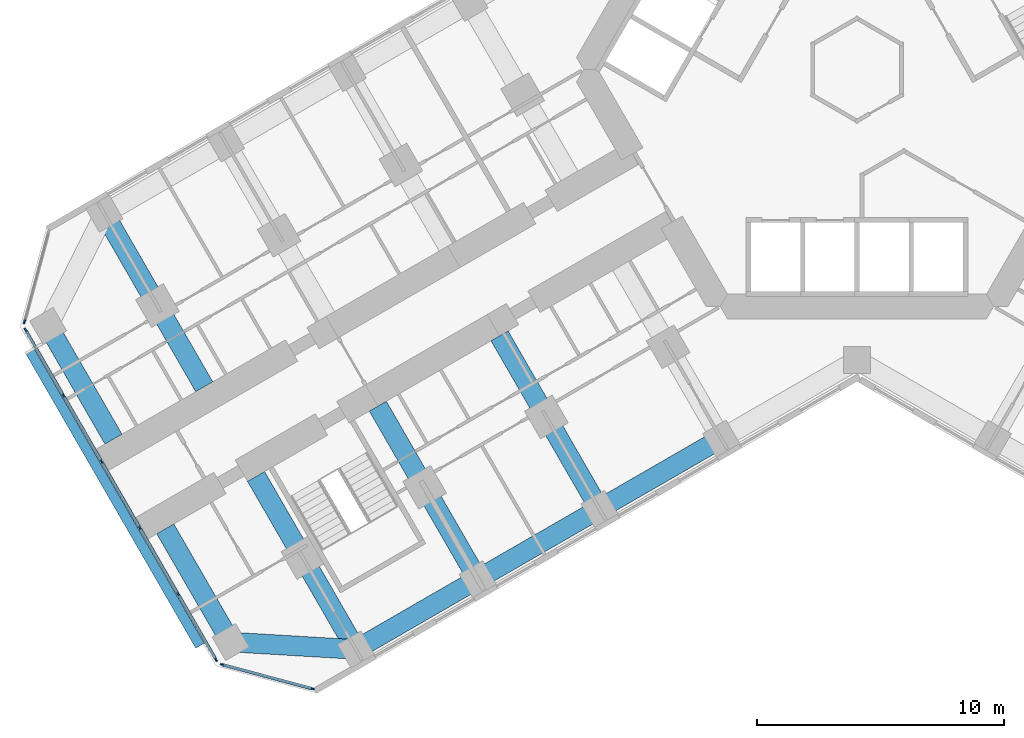
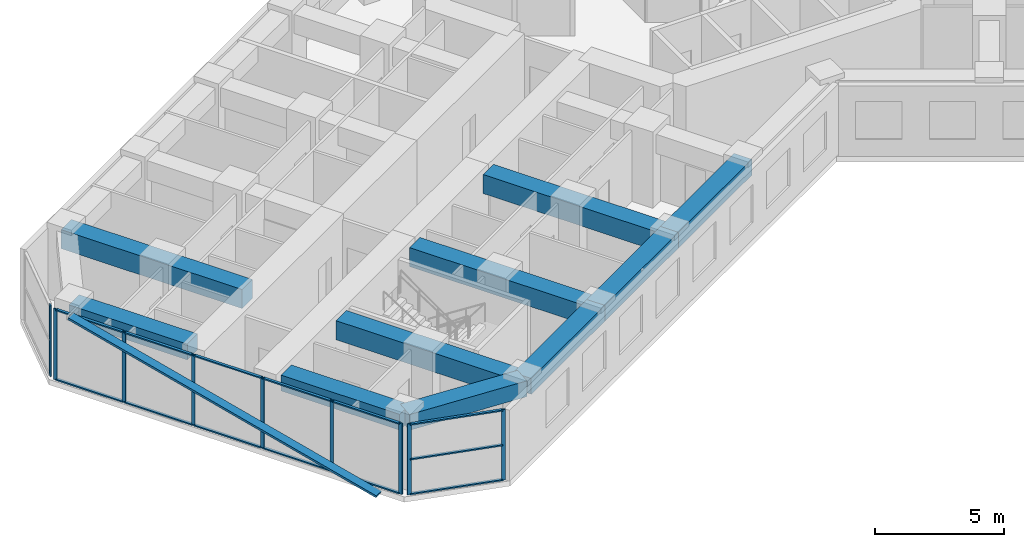
# One storey, part 2 of 21: 23 members, 10 beams, 3 elements without a shape of their own.
"""IFC4 building model written with IfcOpenShell, lengths in metres."""

import ifcopenshell
import ifcopenshell.guid

model = None  # the IFC model being written
_history = None  # IfcOwnerHistory: only IFC2X3 demands one
_inside = {}  # id of a spatial element -> (the spatial element, [elements in it])
_under = {}  # id of a project, library or spatial element -> (it, [spatial elements below it])
_declared = {}  # id of a project -> (the project, [libraries it declares])
_typed = {}  # id of a type object -> (the type object, [elements of that type])
_made_of = {}  # id of a material, layer set ... -> (it, [elements and type objects made of it])


def new_model(schema):
    """Start an empty IFC model of exactly this schema.

    Asked for "IFC4X3", IfcOpenShell would pick the latest addendum, in which some entities
    have other attributes; the version numbers below select the first issue.
    IFC2X3 requires an IfcOwnerHistory on every rooted entity: one is made here for all.
    """
    global model, _history
    if schema == "IFC4X3":
        model = ifcopenshell.file(schema_version=(4, 3, 0, 0))
    else:
        model = ifcopenshell.file(schema=schema)
    _inside.clear()
    _under.clear()
    _declared.clear()
    _typed.clear()
    _made_of.clear()
    _history = None
    if model.schema == "IFC2X3":
        org = make("IfcOrganization", Name="unknown")
        user = make(
            "IfcPersonAndOrganization",
            ThePerson=make("IfcPerson", FamilyName="unknown"),
            TheOrganization=org,
        )
        app = make(
            "IfcApplication",
            ApplicationDeveloper=org,
            Version="unknown",
            ApplicationFullName="unknown",
            ApplicationIdentifier="unknown",
        )
        _history = make(
            "IfcOwnerHistory",
            OwningUser=user,
            OwningApplication=app,
            ChangeAction="ADDED",
            CreationDate=0,
        )
    return model


def make(cls, **values):
    """One entity of the class cls with the attributes given. An attribute that is None is left unset."""
    return model.create_entity(
        cls, **{name: value for name, value in values.items() if value is not None}
    )


def rooted(cls, **values):
    """An entity with a GlobalId (a new one), such as an element, a storey or a relation."""
    return make(cls, GlobalId=ifcopenshell.guid.new(), OwnerHistory=_history, **values)


def si_unit(unit_type, name, prefix=None):
    """IfcSIUnit, for example si_unit("LENGTHUNIT", "METRE", prefix="MILLI")."""
    return make("IfcSIUnit", UnitType=unit_type, Prefix=prefix, Name=name)


def assignment(units):
    """IfcUnitAssignment: the units of a project."""
    return None if units is None else make("IfcUnitAssignment", Units=units)


def point(xyz):
    """IfcCartesianPoint."""
    return None if xyz is None else make("IfcCartesianPoint", Coordinates=xyz)


def direction(xyz):
    """IfcDirection."""
    return None if xyz is None else make("IfcDirection", DirectionRatios=xyz)


def frame(location, z_axis=None, x_axis=None):
    """IfcAxis2Placement3D, a coordinate frame: its origin and axes. An axis left out is left unset."""
    return make(
        "IfcAxis2Placement3D",
        Location=point(location),
        Axis=direction(z_axis),
        RefDirection=direction(x_axis),
    )


def frame_2d(location, x_axis=None):
    """IfcAxis2Placement2D, a coordinate frame in the plane: its origin and x axis."""
    return make(
        "IfcAxis2Placement2D", Location=point(location), RefDirection=direction(x_axis)
    )


def origin():
    """The frame at (0, 0, 0) with its axes left unset."""
    return frame((0.0, 0.0, 0.0))


def origin_2d():
    """The frame at (0, 0) in the plane with its x axis left unset."""
    return frame_2d((0.0, 0.0))


def place(relative_to, where):
    """IfcLocalPlacement: puts the frame where relative to a parent placement (None: the world)."""
    return make(
        "IfcLocalPlacement", PlacementRelTo=relative_to, RelativePlacement=where
    )


def context(
    kind, dimensions, precision=None, world=None, true_north=None, identifier=None
):
    """IfcGeometricRepresentationContext, for example the 3D "Model" context."""
    return make(
        "IfcGeometricRepresentationContext",
        ContextIdentifier=identifier,
        ContextType=kind,
        CoordinateSpaceDimension=dimensions,
        Precision=precision,
        WorldCoordinateSystem=world,
        TrueNorth=true_north,
    )


def subcontext(parent, identifier, kind, view, scale=None):
    """IfcGeometricRepresentationSubContext, for example "Body" below "Model"."""
    return make(
        "IfcGeometricRepresentationSubContext",
        ContextIdentifier=identifier,
        ContextType=kind,
        ParentContext=parent,
        TargetScale=scale,
        TargetView=view,
    )


def project(units=None, contexts=None):
    """IfcProject with its units and contexts."""
    return rooted(
        "IfcProject",
        Name="project",
        RepresentationContexts=contexts,
        UnitsInContext=assignment(units),
    )


def spatial(cls, under=None, at=None, **own):
    """A site, building, storey or space (cls), placed at a placement, below another one or the project."""
    s = rooted(cls, ObjectPlacement=at, **own)
    if under is not None:
        _under.setdefault(under.id(), (under, []))[1].append(s)
    return s


def profile(cls, at=None, kind="AREA", **sizes):
    """A parametric profile (cls). Its sizes go by their IFC names, for example OverallWidth=200.0."""
    return make(cls, ProfileType=kind, Position=at, **sizes)


def rectangle(**sizes):
    """IfcRectangleProfileDef."""
    return profile("IfcRectangleProfileDef", **sizes)


def extrude(swept, where, along, depth):
    """IfcExtrudedAreaSolid: the profile swept, set in the frame where, extruded along a direction by depth."""
    return make(
        "IfcExtrudedAreaSolid",
        SweptArea=swept,
        Position=where,
        ExtrudedDirection=direction(along),
        Depth=depth,
    )


def shape(context_of_items, identifier, shape_type, items):
    """IfcShapeRepresentation: the items that make up one representation, for example the "Body"."""
    return make(
        "IfcShapeRepresentation",
        ContextOfItems=context_of_items,
        RepresentationIdentifier=identifier,
        RepresentationType=shape_type,
        Items=items,
    )


def material(Name=None, Category=None):
    """IfcMaterial."""
    return make("IfcMaterial", Name=Name, Category=Category)


def material_profile(
    of_material, cross_section, Name=None, Category=None, Priority=None
):
    """IfcMaterialProfile: a cross section and its material."""
    return make(
        "IfcMaterialProfile",
        Name=Name,
        Material=of_material,
        Profile=cross_section,
        Priority=Priority,
        Category=Category,
    )


def profile_set(profiles, Name=None, composite=None):
    """IfcMaterialProfileSet."""
    return make(
        "IfcMaterialProfileSet",
        Name=Name,
        MaterialProfiles=profiles,
        CompositeProfile=composite,
    )


def made_of(thing, what):
    """Note that an element or type object is made of a material, layer set ...; save() writes the relation."""
    if what is not None:
        _made_of.setdefault(what.id(), (what, []))[1].append(thing)
    return thing


def type_object(cls, material=None, **own):
    """A type object (cls), such as IfcWallType, which elements share."""
    return made_of(rooted(cls, **own), material)


def element(
    cls,
    number,
    at=None,
    inside=None,
    cuts=None,
    type_object=None,
    material=None,
    context=None,
    identifier="Body",
    shape_type=None,
    held_by="IfcProductDefinitionShape",
    body=None,
    shapes=None,
    **own,
):
    """One element of the class cls, such as IfcWall. Its Tag is "e" and its number.

    at: its placement. inside: the storey or other place that contains it. cuts: it is an
    opening in that element (IfcRelVoidsElement). A single representation is given by context,
    identifier, shape_type and body (its items); several are given by shapes. held_by: the class
    of the entity that holds the representations. save() writes the other relations.
    """
    e = rooted(cls, Tag="e%d" % number, ObjectPlacement=at, **own)
    if body is not None:
        shapes = [shape(context, identifier, shape_type, body)]
    if shapes is not None:
        e.Representation = make(held_by, Representations=shapes)
    if inside is not None:
        _inside.setdefault(inside.id(), (inside, []))[1].append(e)
    if cuts is not None:
        rooted(
            "IfcRelVoidsElement", RelatingBuildingElement=cuts, RelatedOpeningElement=e
        )
    if type_object is not None:
        _typed.setdefault(type_object.id(), (type_object, []))[1].append(e)
    return made_of(e, material)


def aggregate(whole, parts):
    """IfcRelAggregates: a whole, such as a stair, and the parts it consists of."""
    return rooted("IfcRelAggregates", RelatingObject=whole, RelatedObjects=parts)


def save(model, path):
    """Write the relations noted so far, then the file.

    IfcRelAggregates (storeys below a building ...), IfcRelContainedInSpatialStructure (elements
    in a storey), IfcRelDefinesByType, IfcRelAssociatesMaterial and IfcRelDeclares: one each for
    every whole, place, type object, material and project.
    """
    for whole, parts in _under.values():
        aggregate(whole, parts)
    for where, things in _inside.values():
        rooted(
            "IfcRelContainedInSpatialStructure",
            RelatedElements=things,
            RelatingStructure=where,
        )
    for kind, things in _typed.values():
        rooted("IfcRelDefinesByType", RelatedObjects=things, RelatingType=kind)
    for what, things in _made_of.values():
        rooted("IfcRelAssociatesMaterial", RelatedObjects=things, RelatingMaterial=what)
    for by, libraries in _declared.values():
        rooted("IfcRelDeclares", RelatingContext=by, RelatedDefinitions=libraries)
    model.write(path)


model = new_model("IFC4")

# Units and contexts
model_context = context("Model", 3, precision=1e-05, world=origin(), true_north=direction((0.0, 1.0)))
body_context = subcontext(model_context, "Body", "Model", "MODEL_VIEW")
ifc_project = project(units=[si_unit("LENGTHUNIT", "METRE"), si_unit("AREAUNIT", "SQUARE_METRE"), si_unit("VOLUMEUNIT", "CUBIC_METRE"), si_unit("PLANEANGLEUNIT", "RADIAN"), si_unit("MASSUNIT", "GRAM", prefix="KILO")], contexts=[model_context])

# Site, building, storey
site_placement = place(None, origin())
site = spatial("IfcSite", under=ifc_project, at=site_placement, CompositionType="ELEMENT")
building_placement = place(site_placement, origin())
building = spatial("IfcBuilding", under=site, at=building_placement, Name="Kosmar Iwan School Tower", CompositionType="ELEMENT")
storey_placement = place(building_placement, frame((0.0, 0.0, 43.0)))
storey = spatial("IfcBuildingStorey", under=building, at=storey_placement, Name="L09", CompositionType="ELEMENT", Elevation=43.0)

# Member
ifc_material_1 = material(Name="Black anodised aluminium", Category="aluminium")
ifc_material_profile_1 = material_profile(ifc_material_1, rectangle(XDim=0.10009765625, YDim=0.39990234375, at=origin_2d()), Name="FIN 100x400")
ifc_profile_set_1 = profile_set([ifc_material_profile_1], Name="Black anodised aluminium")
member_type_1 = type_object("IfcMemberType", Name="Diagonal fin 100x400", PredefinedType="USERDEFINED", material=ifc_profile_set_1)
member_1_placement = place(storey_placement, frame((-26.645263671875, -23.34912109375, -0.14990234375), z_axis=(-0.483795538458, 0.837973939202, 0.252470897702), x_axis=(0.126233699175, -0.218647221293, 0.967604488318)))
element("IfcMember", 1, at=member_1_placement, inside=storey, type_object=member_type_1, Name="Diagonal fin L09-F13", ObjectType="FIN", PredefinedType="USERDEFINED", context=body_context, shape_type="SweptSolid", body=[
    extrude(rectangle(XDim=0.10009765625, YDim=0.39990234375, at=origin_2d()), origin(), (0.0, 0.0, 1.0), 14.258544921875),
])

# Curtain wall, member
ifc_material_2 = material(Name="Dark glass in black aluminium frame", Category="aluminium")
curtain_wall_type_1 = type_object("IfcCurtainWallType", Name="Chamfer curtain wall dark glass", PredefinedType="USERDEFINED", material=ifc_material_2)
curtain_wall_1_placement = place(storey_placement, origin())
curtain_wall_1 = element("IfcCurtainWall", 2, at=curtain_wall_1_placement, inside=storey, type_object=curtain_wall_type_1, Name="Curtain wall L09-F12", ObjectType="FACETED CURTAIN WALL", PredefinedType="USERDEFINED")
ifc_material_3 = material(Name="Black anodised aluminium", Category="aluminium")
ifc_material_profile_2 = material_profile(ifc_material_3, rectangle(XDim=0.06005859375, YDim=0.159912109375, at=origin_2d()), Name="MULLION 60x160")
ifc_profile_set_2 = profile_set([ifc_material_profile_2], Name="Black anodised aluminium")
member_type_2 = type_object("IfcMemberType", Name="Mullion 60x160", PredefinedType="MULLION", material=ifc_profile_set_2)
member_2_placement = place(storey_placement, frame((-33.7587890625, -10.2236328125, 0.0), z_axis=(0.0, 0.0, 1.0), x_axis=(0.965925875495, -0.258818861462, 0.0)))
member_2 = element("IfcMember", 3, at=member_2_placement, type_object=member_type_2, Name="CW2 mullion 2", PredefinedType="MULLION", context=body_context, shape_type="SweptSolid", body=[
    extrude(rectangle(XDim=0.06005859375, YDim=0.159912109375, at=origin_2d()), origin(), (0.0, 0.0, 1.0), 3.35009765625),
])
aggregate(curtain_wall_1, [member_2])

# Curtain wall, members
ifc_material_4 = material(Name="Dark glass in black aluminium frame", Category="aluminium")
curtain_wall_type_2 = type_object("IfcCurtainWallType", Name="Tower curtain wall dark glass", PredefinedType="USERDEFINED", material=ifc_material_4)
curtain_wall_2_placement = place(storey_placement, origin())
curtain_wall_2 = element("IfcCurtainWall", 4, at=curtain_wall_2_placement, inside=storey, type_object=curtain_wall_type_2, Name="Curtain wall L09-F13", ObjectType="UNITISED CURTAIN WALL", PredefinedType="USERDEFINED")
member_3_placement = place(storey_placement, frame((-33.71533203125, -10.55322265625, 0.0), z_axis=(0.0, 0.0, 1.0), x_axis=(0.866025405329, 0.499999997325, 0.0)))
member_3 = element("IfcMember", 5, at=member_3_placement, type_object=member_type_2, Name="CW1 mullion 1", PredefinedType="MULLION", context=body_context, shape_type="SweptSolid", body=[
    extrude(rectangle(XDim=0.06005859375, YDim=0.159912109375, at=origin_2d()), origin(), (0.0, 0.0, 1.0), 3.35009765625),
])
member_4_placement = place(storey_placement, frame((-32.1806640625, -13.21142578125, 0.0), z_axis=(0.0, 0.0, 1.0), x_axis=(0.866025405329, 0.499999997325, 0.0)))
member_4 = element("IfcMember", 6, at=member_4_placement, type_object=member_type_2, Name="CW1 mullion 2", PredefinedType="MULLION", context=body_context, shape_type="SweptSolid", body=[
    extrude(rectangle(XDim=0.06005859375, YDim=0.159912109375, at=origin_2d()), origin(), (0.0, 0.0, 1.0), 3.35009765625),
])
member_5_placement = place(storey_placement, frame((-30.631103515625, -15.8955078125, 0.0), z_axis=(0.0, 0.0, 1.0), x_axis=(0.866025405329, 0.499999997325, 0.0)))
member_5 = element("IfcMember", 7, at=member_5_placement, type_object=member_type_2, Name="CW1 mullion 3", PredefinedType="MULLION", context=body_context, shape_type="SweptSolid", body=[
    extrude(rectangle(XDim=0.06005859375, YDim=0.159912109375, at=origin_2d()), origin(), (0.0, 0.0, 1.0), 3.35009765625),
])
member_6_placement = place(storey_placement, frame((-29.081298828125, -18.57958984375, 0.0), z_axis=(0.0, 0.0, 1.0), x_axis=(0.866025405329, 0.499999997325, 0.0)))
member_6 = element("IfcMember", 8, at=member_6_placement, type_object=member_type_2, Name="CW1 mullion 4", PredefinedType="MULLION", context=body_context, shape_type="SweptSolid", body=[
    extrude(rectangle(XDim=0.06005859375, YDim=0.159912109375, at=origin_2d()), origin(), (0.0, 0.0, 1.0), 3.35009765625),
])
member_7_placement = place(storey_placement, frame((-27.53173828125, -21.263671875, 0.0), z_axis=(0.0, 0.0, 1.0), x_axis=(0.866025405329, 0.499999997325, 0.0)))
member_7 = element("IfcMember", 9, at=member_7_placement, type_object=member_type_2, Name="CW1 mullion 5", PredefinedType="MULLION", context=body_context, shape_type="SweptSolid", body=[
    extrude(rectangle(XDim=0.06005859375, YDim=0.159912109375, at=origin_2d()), origin(), (0.0, 0.0, 1.0), 3.35009765625),
])
member_8_placement = place(storey_placement, frame((-25.9970703125, -23.921630859375, 0.0), z_axis=(0.0, 0.0, 1.0), x_axis=(0.866025405329, 0.499999997325, 0.0)))
member_8 = element("IfcMember", 10, at=member_8_placement, type_object=member_type_2, Name="CW1 mullion 6", PredefinedType="MULLION", context=body_context, shape_type="SweptSolid", body=[
    extrude(rectangle(XDim=0.06005859375, YDim=0.159912109375, at=origin_2d()), origin(), (0.0, 0.0, 1.0), 3.35009765625),
])

curtain_wall_3_placement = place(storey_placement, origin())
curtain_wall_3 = element("IfcCurtainWall", 11, at=curtain_wall_3_placement, inside=storey, type_object=curtain_wall_type_1, Name="Curtain wall L09-F14", ObjectType="FACETED CURTAIN WALL", PredefinedType="USERDEFINED")
member_9_placement = place(storey_placement, frame((-25.733154296875, -24.124267578125, 0.0), z_axis=(0.0, 0.0, 1.0), x_axis=(0.258818861462, 0.965925875495, 0.0)))
member_9 = element("IfcMember", 12, at=member_9_placement, type_object=member_type_2, Name="CW2 mullion 1", PredefinedType="MULLION", context=body_context, shape_type="SweptSolid", body=[
    extrude(rectangle(XDim=0.06005859375, YDim=0.159912109375, at=origin_2d()), origin(), (0.0, 0.0, 1.0), 3.35009765625),
])
member_10_placement = place(storey_placement, frame((-22.0830078125, -25.102294921875, 0.0), z_axis=(0.0, 0.0, 1.0), x_axis=(0.258818861462, 0.965925875495, 0.0)))
member_10 = element("IfcMember", 13, at=member_10_placement, type_object=member_type_2, Name="CW2 mullion 2", PredefinedType="MULLION", context=body_context, shape_type="SweptSolid", body=[
    extrude(rectangle(XDim=0.06005859375, YDim=0.159912109375, at=origin_2d()), origin(), (0.0, 0.0, 1.0), 3.35009765625),
])

# Beams
ifc_material_5 = material(Name="Concrete C50/60", Category="concrete")
ifc_material_profile_3 = material_profile(ifc_material_5, rectangle(XDim=0.800048828125, YDim=0.75, at=origin_2d()), Name="RC 800x750")
ifc_profile_set_3 = profile_set([ifc_material_profile_3], Name="Concrete C50/60")
beam_type_1 = type_object("IfcBeamType", Name="RC edge beam 800x750", PredefinedType="BEAM", material=ifc_profile_set_3)
beam_1_placement = place(storey_placement, frame((-5.5087890625, -14.95849609375, 2.97509765625), z_axis=(-0.866033658841, -0.49998570155, 0.0), x_axis=(0.49998570155, -0.866033658841, 0.0)))
element("IfcBeam", 14, at=beam_1_placement, inside=storey, type_object=beam_type_1, Name="Edge beam BL2", PredefinedType="BEAM", context=body_context, shape_type="SweptSolid", body=[
    extrude(rectangle(XDim=0.800048828125, YDim=0.75, at=origin_2d()), origin(), (0.0, 0.0, 1.0), 5.699951171875),
])
beam_2_placement = place(storey_placement, frame((-10.445068359375, -17.808349609375, 2.97509765625), z_axis=(-0.866025820012, -0.499999279071, 0.0), x_axis=(0.499999279071, -0.866025820012, 0.0)))
element("IfcBeam", 15, at=beam_2_placement, inside=storey, type_object=beam_type_1, Name="Edge beam BL3", PredefinedType="BEAM", context=body_context, shape_type="SweptSolid", body=[
    extrude(rectangle(XDim=0.800048828125, YDim=0.75, at=origin_2d()), origin(), (0.0, 0.0, 1.0), 5.7001953125),
])
beam_3_placement = place(storey_placement, frame((-15.381591796875, -20.658447265625, 2.97509765625), z_axis=(-0.866015111908, -0.50001782563, 0.0), x_axis=(0.50001782563, -0.866015111908, 0.0)))
element("IfcBeam", 16, at=beam_3_placement, inside=storey, type_object=beam_type_1, Name="Edge beam BL4", PredefinedType="BEAM", context=body_context, shape_type="SweptSolid", body=[
    extrude(rectangle(XDim=0.800048828125, YDim=0.75, at=origin_2d()), origin(), (0.0, 0.0, 1.0), 5.699951171875),
])
ifc_material_6 = material(Name="Concrete C50/60", Category="concrete")
ifc_material_profile_4 = material_profile(ifc_material_6, rectangle(XDim=0.800048828125, YDim=0.75, at=origin_2d()), Name="RC 800x750")
ifc_profile_set_4 = profile_set([ifc_material_profile_4], Name="Concrete C50/60")
beam_type_2 = type_object("IfcBeamType", Name="RC tip beam 800x750", PredefinedType="BEAM", material=ifc_profile_set_4)
beam_4_placement = place(storey_placement, frame((-20.31787109375, -23.508544921875, 2.97509765625), z_axis=(-0.998260616478, 0.058955420358, 0.0), x_axis=(-0.058955420358, -0.998260616478, 0.0)))
element("IfcBeam", 17, at=beam_4_placement, inside=storey, type_object=beam_type_2, Name="Tip beam BL", PredefinedType="BEAM", context=body_context, shape_type="SweptSolid", body=[
    extrude(rectangle(XDim=0.800048828125, YDim=0.75, at=origin_2d()), origin(), (0.0, 0.0, 1.0), 5.08935546875),
])
beam_5_placement = place(storey_placement, frame((-25.3984375, -23.20849609375, 2.97509765625), z_axis=(-0.499993606316, 0.866029095148, 0.0), x_axis=(-0.866029095148, -0.499993606316, 0.0)))
element("IfcBeam", 18, at=beam_5_placement, inside=storey, type_object=beam_type_2, Name="Tip beam BL to corridor wall", PredefinedType="BEAM", context=body_context, shape_type="SweptSolid", body=[
    extrude(rectangle(XDim=0.800048828125, YDim=0.75, at=origin_2d()), origin(), (0.0, 0.0, 1.0), 5.2998046875),
])
beam_6_placement = place(storey_placement, frame((-32.79833984375, -10.391357421875, 2.97509765625), z_axis=(0.499973660256, -0.866040610509, 0.0), x_axis=(0.866040610509, 0.499973660256, 0.0)))
element("IfcBeam", 19, at=beam_6_placement, inside=storey, type_object=beam_type_2, Name="Tip beam BR to corridor wall", PredefinedType="BEAM", context=body_context, shape_type="SweptSolid", body=[
    extrude(rectangle(XDim=0.800048828125, YDim=0.75, at=origin_2d()), origin(), (0.0, 0.0, 1.0), 5.300048828125),
])
ifc_material_7 = material(Name="Concrete C50/60", Category="concrete")
ifc_material_profile_5 = material_profile(ifc_material_7, rectangle(XDim=0.800048828125, YDim=0.89990234375, at=origin_2d()), Name="RC 800x900")
ifc_profile_set_5 = profile_set([ifc_material_profile_5], Name="Concrete C50/60")
beam_type_3 = type_object("IfcBeamType", Name="RC transverse beam 800x900", PredefinedType="BEAM", material=ifc_profile_set_5)
beam_7_placement = place(storey_placement, frame((-10.445068359375, -17.808349609375, 2.89990234375), z_axis=(-0.500012932018, 0.866017937352, 0.0), x_axis=(-0.866017937352, -0.500012932018, 0.0)))
element("IfcBeam", 20, at=beam_7_placement, inside=storey, type_object=beam_type_3, Name="Transverse beam BL2", PredefinedType="BEAM", context=body_context, shape_type="SweptSolid", body=[
    extrude(rectangle(XDim=0.800048828125, YDim=0.89990234375, at=origin_2d()), origin(), (0.0, 0.0, 1.0), 8.099853515625),
])
for number, where, z_axis, x_axis, name in (
    (21, (-15.381591796875, -20.658447265625, 2.89990234375), (-0.499977274689, 0.866038523851, 0.0), (-0.866038523851, -0.499977274689, 0.0), "Transverse beam BL3"),
    (22, (-20.31787109375, -23.508544921875, 2.89990234375), (-0.499999880539, 0.866025472755, 0.0), (-0.866025472755, -0.499999880539, 0.0), "Transverse beam BL4"),
    (23, (-30.517822265625, -5.841552734375, 2.89990234375), (0.499999880539, -0.866025472755, 0.0), (0.866025472755, 0.499999880539, 0.0), "Transverse beam BR4"),
):
    element("IfcBeam", number, at=place(storey_placement, frame(where, z_axis=z_axis, x_axis=x_axis)), inside=storey, type_object=beam_type_3, Name=name, PredefinedType="BEAM", context=body_context, shape_type="SweptSolid", body=[
        extrude(rectangle(XDim=0.800048828125, YDim=0.89990234375, at=origin_2d()), origin(), (0.0, 0.0, 1.0), 8.10009765625),
    ])

# Member
ifc_material_8 = material(Name="Black anodised aluminium", Category="aluminium")
ifc_material_profile_6 = material_profile(ifc_material_8, rectangle(XDim=0.1201171875, YDim=0.06005859375, at=origin_2d()), Name="TRANSOM 60x120")
ifc_profile_set_6 = profile_set([ifc_material_profile_6], Name="Black anodised aluminium")
member_type_3 = type_object("IfcMemberType", Name="Transom 60x120", PredefinedType="USERDEFINED", material=ifc_profile_set_6)
member_11_placement = place(storey_placement, frame((-33.700439453125, -10.579345703125, 0.030029296875), z_axis=(0.500022102064, -0.866012642776, 0.0), x_axis=(0.866012642776, 0.500022102064, 0.0)))
member_11 = element("IfcMember", 24, at=member_11_placement, type_object=member_type_3, Name="CW1 transom 1.1", ObjectType="TRANSOM", PredefinedType="USERDEFINED", context=body_context, shape_type="SweptSolid", body=[
    extrude(rectangle(XDim=0.1201171875, YDim=0.06005859375, at=origin_2d()), origin(), (0.0, 0.0, 1.0), 3.009033203125),
])

member_12_placement = place(storey_placement, frame((-33.700439453125, -10.579345703125, 3.320068359375), z_axis=(0.500022102064, -0.866012642776, 0.0), x_axis=(0.866012642776, 0.500022102064, 0.0)))
member_12 = element("IfcMember", 25, at=member_12_placement, type_object=member_type_3, Name="CW1 transom 1.2", ObjectType="TRANSOM", PredefinedType="USERDEFINED", context=body_context, shape_type="SweptSolid", body=[
    extrude(rectangle(XDim=0.1201171875, YDim=0.06005859375, at=origin_2d()), origin(), (0.0, 0.0, 1.0), 3.009033203125),
])

member_13_placement = place(storey_placement, frame((-32.165771484375, -13.2373046875, 0.030029296875), z_axis=(0.500035348339, -0.866004994449, 0.0), x_axis=(0.866004994449, 0.500035348339, 0.0)))
member_13 = element("IfcMember", 26, at=member_13_placement, type_object=member_type_3, Name="CW1 transom 2.1", ObjectType="TRANSOM", PredefinedType="USERDEFINED", context=body_context, shape_type="SweptSolid", body=[
    extrude(rectangle(XDim=0.1201171875, YDim=0.06005859375, at=origin_2d()), origin(), (0.0, 0.0, 1.0), 3.039306640625),
])

member_14_placement = place(storey_placement, frame((-32.165771484375, -13.2373046875, 3.320068359375), z_axis=(0.500035348339, -0.866004994449, 0.0), x_axis=(0.866004994449, 0.500035348339, 0.0)))
member_14 = element("IfcMember", 27, at=member_14_placement, type_object=member_type_3, Name="CW1 transom 2.2", ObjectType="TRANSOM", PredefinedType="USERDEFINED", context=body_context, shape_type="SweptSolid", body=[
    extrude(rectangle(XDim=0.1201171875, YDim=0.06005859375, at=origin_2d()), origin(), (0.0, 0.0, 1.0), 3.039306640625),
])

member_15_placement = place(storey_placement, frame((-30.615966796875, -15.92138671875, 0.030029296875), z_axis=(0.499975102327, -0.866039777986, 0.0), x_axis=(0.866039777986, 0.499975102327, 0.0)))
member_15 = element("IfcMember", 28, at=member_15_placement, type_object=member_type_3, Name="CW1 transom 3.1", ObjectType="TRANSOM", PredefinedType="USERDEFINED", context=body_context, shape_type="SweptSolid", body=[
    extrude(rectangle(XDim=0.1201171875, YDim=0.06005859375, at=origin_2d()), origin(), (0.0, 0.0, 1.0), 3.039306640625),
])

member_16_placement = place(storey_placement, frame((-30.615966796875, -15.92138671875, 3.320068359375), z_axis=(0.499975102327, -0.866039777986, 0.0), x_axis=(0.866039777986, 0.499975102327, 0.0)))
member_16 = element("IfcMember", 29, at=member_16_placement, type_object=member_type_3, Name="CW1 transom 3.2", ObjectType="TRANSOM", PredefinedType="USERDEFINED", context=body_context, shape_type="SweptSolid", body=[
    extrude(rectangle(XDim=0.1201171875, YDim=0.06005859375, at=origin_2d()), origin(), (0.0, 0.0, 1.0), 3.039306640625),
])

member_17_placement = place(storey_placement, frame((-29.06640625, -18.60546875, 0.030029296875), z_axis=(0.499975102327, -0.866039777986, 0.0), x_axis=(0.866039777986, 0.499975102327, 0.0)))
member_17 = element("IfcMember", 30, at=member_17_placement, type_object=member_type_3, Name="CW1 transom 4.1", ObjectType="TRANSOM", PredefinedType="USERDEFINED", context=body_context, shape_type="SweptSolid", body=[
    extrude(rectangle(XDim=0.1201171875, YDim=0.06005859375, at=origin_2d()), origin(), (0.0, 0.0, 1.0), 3.039306640625),
])

member_18_placement = place(storey_placement, frame((-29.06640625, -18.60546875, 3.320068359375), z_axis=(0.499975102327, -0.866039777986, 0.0), x_axis=(0.866039777986, 0.499975102327, 0.0)))
member_18 = element("IfcMember", 31, at=member_18_placement, type_object=member_type_3, Name="CW1 transom 4.2", ObjectType="TRANSOM", PredefinedType="USERDEFINED", context=body_context, shape_type="SweptSolid", body=[
    extrude(rectangle(XDim=0.1201171875, YDim=0.06005859375, at=origin_2d()), origin(), (0.0, 0.0, 1.0), 3.039306640625),
])

member_19_placement = place(storey_placement, frame((-27.516845703125, -21.28955078125, 0.030029296875), z_axis=(0.499986971506, -0.866032925658, 0.0), x_axis=(0.866032925658, 0.499986971506, 0.0)))
member_19 = element("IfcMember", 32, at=member_19_placement, type_object=member_type_3, Name="CW1 transom 5.1", ObjectType="TRANSOM", PredefinedType="USERDEFINED", context=body_context, shape_type="SweptSolid", body=[
    extrude(rectangle(XDim=0.1201171875, YDim=0.06005859375, at=origin_2d()), origin(), (0.0, 0.0, 1.0), 3.00927734375),
])

member_20_placement = place(storey_placement, frame((-27.516845703125, -21.28955078125, 3.320068359375), z_axis=(0.499986971506, -0.866032925658, 0.0), x_axis=(0.866032925658, 0.499986971506, 0.0)))
member_20 = element("IfcMember", 33, at=member_20_placement, type_object=member_type_3, Name="CW1 transom 5.2", ObjectType="TRANSOM", PredefinedType="USERDEFINED", context=body_context, shape_type="SweptSolid", body=[
    extrude(rectangle(XDim=0.1201171875, YDim=0.06005859375, at=origin_2d()), origin(), (0.0, 0.0, 1.0), 3.00927734375),
])

aggregate(curtain_wall_2, [member_3, member_4, member_5, member_6, member_7, member_8, member_11, member_12, member_13, member_14, member_15, member_16, member_17, member_18, member_19, member_20])

member_21_placement = place(storey_placement, frame((-25.704345703125, -24.1318359375, 0.030029296875), z_axis=(0.965923731726, -0.258826861991, 0.0), x_axis=(0.258826861991, 0.965923731726, 0.0)))
member_21 = element("IfcMember", 34, at=member_21_placement, type_object=member_type_3, Name="CW2 transom 1.1", ObjectType="TRANSOM", PredefinedType="USERDEFINED", context=body_context, shape_type="SweptSolid", body=[
    extrude(rectangle(XDim=0.1201171875, YDim=0.06005859375, at=origin_2d()), origin(), (0.0, 0.0, 1.0), 3.71923828125),
])

member_22_placement = place(storey_placement, frame((-25.704345703125, -24.1318359375, 1.675048828125), z_axis=(0.965923731726, -0.258826861991, 0.0), x_axis=(0.258826861991, 0.965923731726, 0.0)))
member_22 = element("IfcMember", 35, at=member_22_placement, type_object=member_type_3, Name="CW2 transom 1.2", ObjectType="TRANSOM", PredefinedType="USERDEFINED", context=body_context, shape_type="SweptSolid", body=[
    extrude(rectangle(XDim=0.1201171875, YDim=0.06005859375, at=origin_2d()), origin(), (0.0, 0.0, 1.0), 3.71923828125),
])

member_23_placement = place(storey_placement, frame((-25.704345703125, -24.1318359375, 3.320068359375), z_axis=(0.965923731726, -0.258826861991, 0.0), x_axis=(0.258826861991, 0.965923731726, 0.0)))
member_23 = element("IfcMember", 36, at=member_23_placement, type_object=member_type_3, Name="CW2 transom 1.3", ObjectType="TRANSOM", PredefinedType="USERDEFINED", context=body_context, shape_type="SweptSolid", body=[
    extrude(rectangle(XDim=0.1201171875, YDim=0.06005859375, at=origin_2d()), origin(), (0.0, 0.0, 1.0), 3.71923828125),
])

aggregate(curtain_wall_3, [member_9, member_10, member_21, member_22, member_23])

save(model, "model.ifc")
